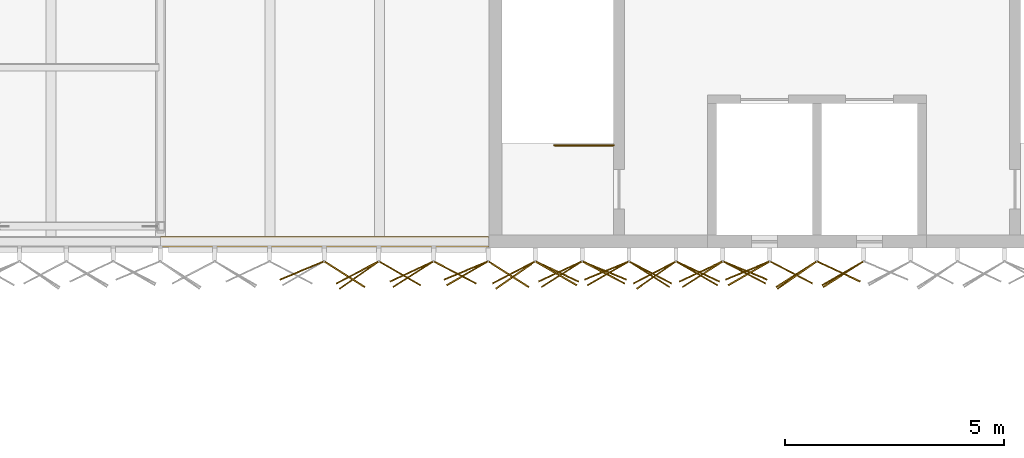
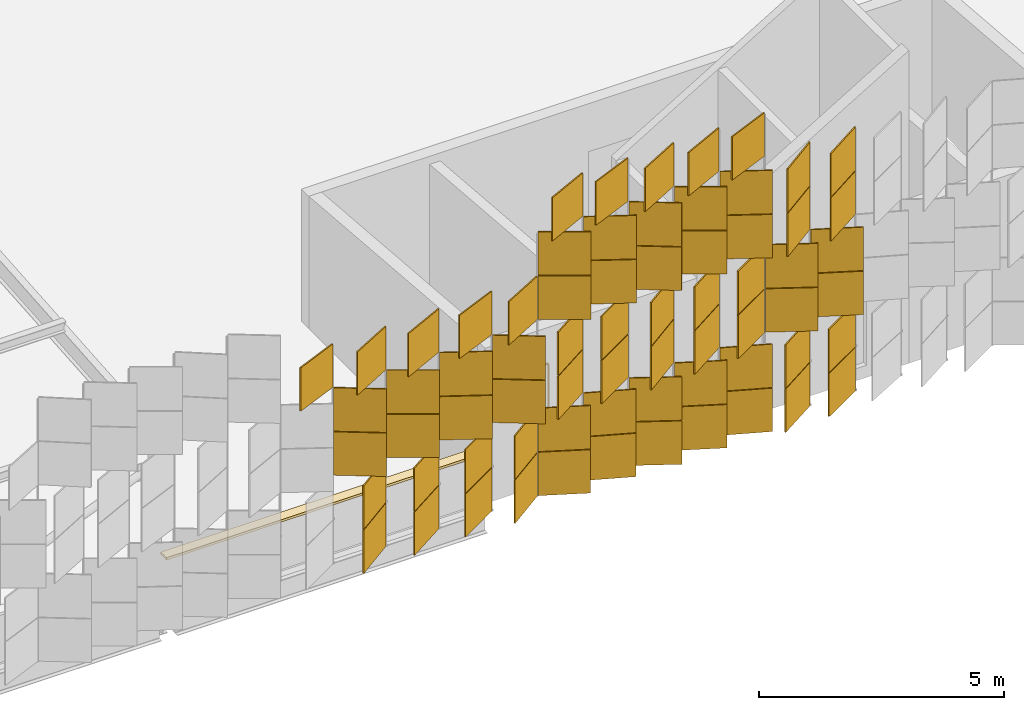
# One storey, part 464 of 483: 69 coverings, 1 railing.
"""IFC4 building model written with IfcOpenShell, lengths in metres."""

from ifc_helpers import new_model, si_unit, direction, frame, origin, origin_2d, place, context, subcontext, project, spatial, polyline, rectangle, circle, outline, extrude, material, layer, layer_set, type_object, element, save


model = new_model("IFC4")

# Units and contexts
model_context = context("Model", 3, precision=1e-05, world=origin(), true_north=direction((0.0, 1.0)))
body_context = subcontext(model_context, "Body", "Model", "MODEL_VIEW")
ifc_project = project(units=[si_unit("LENGTHUNIT", "METRE"), si_unit("AREAUNIT", "SQUARE_METRE"), si_unit("VOLUMEUNIT", "CUBIC_METRE"), si_unit("PLANEANGLEUNIT", "RADIAN"), si_unit("MASSUNIT", "GRAM", prefix="KILO")], contexts=[model_context])

# Site, building, storey
site_placement = place(None, origin())
site = spatial("IfcSite", under=ifc_project, at=site_placement, CompositionType="ELEMENT")
building_placement = place(site_placement, origin())
building = spatial("IfcBuilding", under=site, at=building_placement, Name="Parallax Yard Mobility Hub", CompositionType="ELEMENT")
storey_placement = place(building_placement, frame((0.0, 0.0, 13.199951171875)))
storey = spatial("IfcBuildingStorey", under=building, at=storey_placement, Name="L04", CompositionType="ELEMENT", Elevation=13.199951171875)

# Coverings
ifc_material_1 = material(Name="Concrete fc' 35 MPa", Category="concrete")
ifc_layer_1 = layer(ifc_material_1, 0.06005859375)
ifc_layer_set_1 = layer_set([ifc_layer_1], Name="Parapet coping, Concrete fc' 35 MPa precast, 240")
covering_type_1 = type_object("IfcCoveringType", Name="Parapet coping, Concrete fc' 35 MPa precast, 240", PredefinedType="USERDEFINED", material=ifc_layer_set_1)
covering_placement = place(storey_placement, frame((0.0, 0.0, 1.199951171875)))
element("IfcCovering", 1, at=covering_placement, inside=storey, type_object=covering_type_1, Name="Parapet coping run 1 part 6", ObjectType="COPING", PredefinedType="USERDEFINED", context=body_context, shape_type="SweptSolid", body=[
    extrude(outline(polyline([(120.0, 112.76611328125), (120.0, 112.52587890625), (127.4951171875, 112.52587890625), (127.4951171875, 112.76611328125), (120.0, 112.76611328125)])), origin(), (0.0, 0.0, 1.0), 0.06005859375),
])
ifc_material_2 = material(Name="Aluminium panel, silver anodised", Category="aluminium")
ifc_layer_2 = layer(ifc_material_2, 0.030029296875)
ifc_layer_set_2 = layer_set([ifc_layer_2], Name="Skin panel 22.5 degree turn, silver anodised")
covering_type_2 = type_object("IfcCoveringType", Name="Skin panel 22.5 degree turn, silver anodised", PredefinedType="CLADDING", material=ifc_layer_set_2)
for number, where, z_axis, x_axis, name in (
    (2, (123.22509765625, 111.987060546875, 4.419921875), (0.0, 0.0, 1.0), (-0.923879532511, -0.382683432365, 0.0), "Skin panel 22.5 bay 12.3 row 5 level L04"),
    (3, (126.972900390625, 111.987060546875, 4.419921875), (0.0, 0.0, 1.0), (-0.923879532511, -0.382683432365, 0.0), "Skin panel 22.5 bay 12.6 row 5 level L04"),
    (4, (130.1455078125, 111.987060546875, 0.02001953125), (0.0, 0.0, 1.0), (0.923879532511, -0.382683432365, 0.0), "Skin panel 22.5 bay 13.3 row 1 level L04"),
    (5, (130.1455078125, 111.987060546875, 1.1201171875), (0.0, 0.0, 1.0), (0.923879532511, -0.382683432365, 0.0), "Skin panel 22.5 bay 13.3 row 2 level L04"),
    (6, (130.189697265625, 111.987060546875, 6.6201171875), (0.0, 0.0, 1.0), (-0.923879532511, -0.382683432365, 0.0), "Skin panel 22.5 bay 13.3 row 7 level L04"),
    (7, (133.362060546875, 111.987060546875, 0.02001953125), (0.0, 0.0, 1.0), (0.923879532511, -0.382683432365, 0.0), "Skin panel 22.5 bay 13.6 row 1 level L04"),
    (8, (133.362060546875, 111.987060546875, 1.1201171875), (0.0, 0.0, 1.0), (0.923879532511, -0.382683432365, 0.0), "Skin panel 22.5 bay 13.6 row 2 level L04"),
    (9, (133.40625, 111.987060546875, 6.6201171875), (0.0, 0.0, 1.0), (-0.923879532511, -0.382683432365, 0.0), "Skin panel 22.5 bay 13.6 row 7 level L04"),
):
    element("IfcCovering", number, at=place(storey_placement, frame(where, z_axis=z_axis, x_axis=x_axis)), inside=storey, type_object=covering_type_2, Name=name, ObjectType="SCREEN", PredefinedType="CLADDING", context=body_context, shape_type="SweptSolid", body=[
        extrude(rectangle(XDim=1.080078125, YDim=0.030029296875, at=origin_2d()), origin(), (0.0, 0.0, 1.0), 1.080078125),
    ])
ifc_layer_3 = layer(ifc_material_2, 0.030029296875)
ifc_layer_set_3 = layer_set([ifc_layer_3], Name="Skin panel 25 degree turn, silver anodised")
covering_type_3 = type_object("IfcCoveringType", Name="Skin panel 25 degree turn, silver anodised", PredefinedType="CLADDING", material=ifc_layer_set_3)
for number, where, z_axis, x_axis, name in (
    (10, (125.7333984375, 111.96484375, 4.419921875), (0.0, 0.0, 1.0), (-0.906307787037, -0.422618261741, 0.0), "Skin panel 25 bay 12.5 row 5 level L04"),
    (11, (129.0634765625, 111.96484375, 0.02001953125), (0.0, 0.0, 1.0), (0.906307787037, -0.422618261741, 0.0), "Skin panel 25 bay 13.2 row 1 level L04"),
    (12, (129.0634765625, 111.96484375, 1.1201171875), (0.0, 0.0, 1.0), (0.906307787037, -0.422618261741, 0.0), "Skin panel 25 bay 13.2 row 2 level L04"),
    (13, (129.127197265625, 111.96484375, 6.6201171875), (0.0, 0.0, 1.0), (-0.906307787037, -0.422618261741, 0.0), "Skin panel 25 bay 13.2 row 7 level L04"),
    (14, (132.280029296875, 111.96484375, 0.02001953125), (0.0, 0.0, 1.0), (0.906307787037, -0.422618261741, 0.0), "Skin panel 25 bay 13.5 row 1 level L04"),
    (15, (132.280029296875, 111.96484375, 1.1201171875), (0.0, 0.0, 1.0), (0.906307787037, -0.422618261741, 0.0), "Skin panel 25 bay 13.5 row 2 level L04"),
    (16, (132.34375, 111.96484375, 6.6201171875), (0.0, 0.0, 1.0), (-0.906307787037, -0.422618261741, 0.0), "Skin panel 25 bay 13.5 row 7 level L04"),
    (17, (135.49658203125, 111.96484375, 2.219970703125), (0.0, 0.0, 1.0), (0.906307787037, -0.422618261741, 0.0), "Skin panel 25 bay 13.8 row 3 level L04"),
    (18, (135.49658203125, 111.96484375, 3.320068359375), (0.0, 0.0, 1.0), (0.906307787037, -0.422618261741, 0.0), "Skin panel 25 bay 13.8 row 4 level L04"),
):
    element("IfcCovering", number, at=place(storey_placement, frame(where, z_axis=z_axis, x_axis=x_axis)), inside=storey, type_object=covering_type_3, Name=name, ObjectType="SCREEN", PredefinedType="CLADDING", context=body_context, shape_type="SweptSolid", body=[
        extrude(rectangle(XDim=1.080078125, YDim=0.030029296875, at=origin_2d()), origin(), (0.0, 0.0, 1.0), 1.080078125),
    ])
ifc_layer_4 = layer(ifc_material_2, 0.030029296875)
ifc_layer_set_4 = layer_set([ifc_layer_4], Name="Skin panel 27.5 degree turn, silver anodised")
covering_type_4 = type_object("IfcCoveringType", Name="Skin panel 27.5 degree turn, silver anodised", PredefinedType="CLADDING", material=ifc_layer_set_4)
for number, where, z_axis, x_axis, name in (
    (19, (124.4951171875, 111.943115234375, 4.419921875), (0.0, 0.0, 1.0), (-0.887010833178, -0.461748613235, 0.0), "Skin panel 27.5 bay 12.4 row 5 level L04"),
    (20, (126.731201171875, 111.943115234375, 2.219970703125), (0.0, 0.0, 1.0), (0.887010833178, -0.461748613235, 0.0), "Skin panel 27.5 bay 12.6 row 3 level L04"),
    (21, (126.731201171875, 111.943115234375, 3.320068359375), (0.0, 0.0, 1.0), (0.887010833178, -0.461748613235, 0.0), "Skin panel 27.5 bay 12.6 row 4 level L04"),
    (22, (128.065673828125, 111.943115234375, 4.419921875), (0.0, 0.0, 1.0), (-0.887010833178, -0.461748613235, 0.0), "Skin panel 27.5 bay 13.1 row 5 level L04"),
    (23, (130.125, 111.943115234375, 4.419921875), (0.0, 0.0, 1.0), (0.887010833178, -0.461748613235, 0.0), "Skin panel 27.5 bay 13.3 row 5 level L04"),
    (24, (130.125, 111.943115234375, 5.52001953125), (0.0, 0.0, 1.0), (0.887010833178, -0.461748613235, 0.0), "Skin panel 27.5 bay 13.3 row 6 level L04"),
    (25, (131.197021484375, 111.943115234375, 0.02001953125), (0.0, 0.0, 1.0), (0.887010833178, -0.461748613235, 0.0), "Skin panel 27.5 bay 13.4 row 1 level L04"),
    (26, (131.197021484375, 111.943115234375, 1.1201171875), (0.0, 0.0, 1.0), (0.887010833178, -0.461748613235, 0.0), "Skin panel 27.5 bay 13.4 row 2 level L04"),
    (27, (131.282470703125, 111.943115234375, 6.6201171875), (0.0, 0.0, 1.0), (-0.887010833178, -0.461748613235, 0.0), "Skin panel 27.5 bay 13.4 row 7 level L04"),
    (28, (133.341552734375, 111.943115234375, 4.419921875), (0.0, 0.0, 1.0), (0.887010833178, -0.461748613235, 0.0), "Skin panel 27.5 bay 13.6 row 5 level L04"),
    (29, (133.341552734375, 111.943115234375, 5.52001953125), (0.0, 0.0, 1.0), (0.887010833178, -0.461748613235, 0.0), "Skin panel 27.5 bay 13.6 row 6 level L04"),
    (30, (134.413818359375, 111.943115234375, 2.219970703125), (0.0, 0.0, 1.0), (0.887010833178, -0.461748613235, 0.0), "Skin panel 27.5 bay 13.7 row 3 level L04"),
    (31, (134.413818359375, 111.943115234375, 3.320068359375), (0.0, 0.0, 1.0), (0.887010833178, -0.461748613235, 0.0), "Skin panel 27.5 bay 13.7 row 4 level L04"),
):
    element("IfcCovering", number, at=place(storey_placement, frame(where, z_axis=z_axis, x_axis=x_axis)), inside=storey, type_object=covering_type_4, Name=name, ObjectType="SCREEN", PredefinedType="CLADDING", context=body_context, shape_type="SweptSolid", body=[
        extrude(rectangle(XDim=1.080078125, YDim=0.030029296875, at=origin_2d()), origin(), (0.0, 0.0, 1.0), 1.080078125),
    ])
ifc_layer_5 = layer(ifc_material_2, 0.030029296875)
ifc_layer_set_5 = layer_set([ifc_layer_5], Name="Skin panel 30 degree turn, silver anodised")
covering_type_5 = type_object("IfcCoveringType", Name="Skin panel 30 degree turn, silver anodised", PredefinedType="CLADDING", material=ifc_layer_set_5)
for number, where, z_axis, x_axis, name in (
    (32, (125.47021484375, 111.921875, 2.219970703125), (0.0, 0.0, 1.0), (0.866025403784, -0.5, 0.0), "Skin panel 30 bay 12.5 row 3 level L04"),
    (33, (125.47021484375, 111.921875, 3.320068359375), (0.0, 0.0, 1.0), (0.866025403784, -0.5, 0.0), "Skin panel 30 bay 12.5 row 4 level L04"),
    (34, (127.005126953125, 111.921875, 0.02001953125), (0.0, 0.0, 1.0), (-0.866025403784, -0.5, 0.0), "Skin panel 30 bay 12.6 row 1 level L04"),
    (35, (127.005126953125, 111.921875, 1.1201171875), (0.0, 0.0, 1.0), (-0.866025403784, -0.5, 0.0), "Skin panel 30 bay 12.6 row 2 level L04"),
    (36, (129.041015625, 111.921875, 4.419921875), (0.0, 0.0, 1.0), (0.866025403784, -0.5, 0.0), "Skin panel 30 bay 13.2 row 5 level L04"),
    (37, (129.041015625, 111.921875, 5.52001953125), (0.0, 0.0, 1.0), (0.866025403784, -0.5, 0.0), "Skin panel 30 bay 13.2 row 6 level L04"),
    (38, (130.2216796875, 111.921875, 2.219970703125), (0.0, 0.0, 1.0), (-0.866025403784, -0.5, 0.0), "Skin panel 30 bay 13.3 row 3 level L04"),
    (39, (130.2216796875, 111.921875, 3.320068359375), (0.0, 0.0, 1.0), (-0.866025403784, -0.5, 0.0), "Skin panel 30 bay 13.3 row 4 level L04"),
    (40, (132.2578125, 111.921875, 4.419921875), (0.0, 0.0, 1.0), (0.866025403784, -0.5, 0.0), "Skin panel 30 bay 13.5 row 5 level L04"),
    (41, (132.2578125, 111.921875, 5.52001953125), (0.0, 0.0, 1.0), (0.866025403784, -0.5, 0.0), "Skin panel 30 bay 13.5 row 6 level L04"),
    (42, (133.4384765625, 111.921875, 2.219970703125), (0.0, 0.0, 1.0), (-0.866025403784, -0.5, 0.0), "Skin panel 30 bay 13.6 row 3 level L04"),
    (43, (133.4384765625, 111.921875, 3.320068359375), (0.0, 0.0, 1.0), (-0.866025403784, -0.5, 0.0), "Skin panel 30 bay 13.6 row 4 level L04"),
    (44, (135.5830078125, 111.921875, 0.02001953125), (0.0, 0.0, 1.0), (-0.866025403784, -0.5, 0.0), "Skin panel 30 bay 13.8 row 1 level L04"),
    (45, (135.5830078125, 111.921875, 1.1201171875), (0.0, 0.0, 1.0), (-0.866025403784, -0.5, 0.0), "Skin panel 30 bay 13.8 row 2 level L04"),
):
    element("IfcCovering", number, at=place(storey_placement, frame(where, z_axis=z_axis, x_axis=x_axis)), inside=storey, type_object=covering_type_5, Name=name, ObjectType="SCREEN", PredefinedType="CLADDING", context=body_context, shape_type="SweptSolid", body=[
        extrude(rectangle(XDim=1.080078125, YDim=0.030029296875, at=origin_2d()), origin(), (0.0, 0.0, 1.0), 1.080078125),
    ])
ifc_layer_6 = layer(ifc_material_2, 0.030029296875)
ifc_layer_set_6 = layer_set([ifc_layer_6], Name="Skin panel 32.5 degree turn, silver anodised")
covering_type_6 = type_object("IfcCoveringType", Name="Skin panel 32.5 degree turn, silver anodised", PredefinedType="CLADDING", material=ifc_layer_set_6)
for number, where, z_axis, x_axis, name in (
    (46, (124.20849609375, 111.901123046875, 2.219970703125), (0.0, 0.0, 1.0), (0.843391445813, -0.537299608347, 0.0), "Skin panel 32.5 bay 12.4 row 3 level L04"),
    (47, (124.20849609375, 111.901123046875, 3.320068359375), (0.0, 0.0, 1.0), (0.843391445813, -0.537299608347, 0.0), "Skin panel 32.5 bay 12.4 row 4 level L04"),
    (48, (125.7685546875, 111.901123046875, 0.02001953125), (0.0, 0.0, 1.0), (-0.843391445813, -0.537299608347, 0.0), "Skin panel 32.5 bay 12.5 row 1 level L04"),
    (49, (125.7685546875, 111.901123046875, 1.1201171875), (0.0, 0.0, 1.0), (-0.843391445813, -0.537299608347, 0.0), "Skin panel 32.5 bay 12.5 row 2 level L04"),
    (50, (127.956298828125, 111.901123046875, 2.219970703125), (0.0, 0.0, 1.0), (0.843391445813, -0.537299608347, 0.0), "Skin panel 32.5 bay 13.1 row 3 level L04"),
    (51, (127.956298828125, 111.901123046875, 3.320068359375), (0.0, 0.0, 1.0), (0.843391445813, -0.537299608347, 0.0), "Skin panel 32.5 bay 13.1 row 4 level L04"),
    (52, (129.162109375, 111.901123046875, 2.219970703125), (0.0, 0.0, 1.0), (-0.843391445813, -0.537299608347, 0.0), "Skin panel 32.5 bay 13.2 row 3 level L04"),
    (53, (129.162109375, 111.901123046875, 3.320068359375), (0.0, 0.0, 1.0), (-0.843391445813, -0.537299608347, 0.0), "Skin panel 32.5 bay 13.2 row 4 level L04"),
    (54, (131.1728515625, 111.901123046875, 4.419921875), (0.0, 0.0, 1.0), (0.843391445813, -0.537299608347, 0.0), "Skin panel 32.5 bay 13.4 row 5 level L04"),
    (55, (131.1728515625, 111.901123046875, 5.52001953125), (0.0, 0.0, 1.0), (0.843391445813, -0.537299608347, 0.0), "Skin panel 32.5 bay 13.4 row 6 level L04"),
    (56, (132.37890625, 111.901123046875, 2.219970703125), (0.0, 0.0, 1.0), (-0.843391445813, -0.537299608347, 0.0), "Skin panel 32.5 bay 13.5 row 3 level L04"),
    (57, (132.37890625, 111.901123046875, 3.320068359375), (0.0, 0.0, 1.0), (-0.843391445813, -0.537299608347, 0.0), "Skin panel 32.5 bay 13.5 row 4 level L04"),
    (58, (134.523193359375, 111.901123046875, 0.02001953125), (0.0, 0.0, 1.0), (-0.843391445813, -0.537299608347, 0.0), "Skin panel 32.5 bay 13.7 row 1 level L04"),
    (59, (134.523193359375, 111.901123046875, 1.1201171875), (0.0, 0.0, 1.0), (-0.843391445813, -0.537299608347, 0.0), "Skin panel 32.5 bay 13.7 row 2 level L04"),
    (60, (135.595458984375, 111.901123046875, 4.419921875), (0.0, 0.0, 1.0), (-0.843391445813, -0.537299608347, 0.0), "Skin panel 32.5 bay 13.8 row 5 level L04"),
    (61, (135.595458984375, 111.901123046875, 5.52001953125), (0.0, 0.0, 1.0), (-0.843391445813, -0.537299608347, 0.0), "Skin panel 32.5 bay 13.8 row 6 level L04"),
):
    element("IfcCovering", number, at=place(storey_placement, frame(where, z_axis=z_axis, x_axis=x_axis)), inside=storey, type_object=covering_type_6, Name=name, ObjectType="SCREEN", PredefinedType="CLADDING", context=body_context, shape_type="SweptSolid", body=[
        extrude(rectangle(XDim=1.080078125, YDim=0.030029296875, at=origin_2d()), origin(), (0.0, 0.0, 1.0), 1.080078125),
    ])
ifc_layer_7 = layer(ifc_material_2, 0.030029296875)
ifc_layer_set_7 = layer_set([ifc_layer_7], Name="Skin panel 35 degree turn, silver anodised")
covering_type_7 = type_object("IfcCoveringType", Name="Skin panel 35 degree turn, silver anodised", PredefinedType="CLADDING", material=ifc_layer_set_7)
for number, where, z_axis, x_axis, name in (
    (62, (124.53271484375, 111.880859375, 0.02001953125), (0.0, 0.0, 1.0), (-0.819152044289, -0.573576436351, 0.0), "Skin panel 35 bay 12.4 row 1 level L04"),
    (63, (124.53271484375, 111.880859375, 1.1201171875), (0.0, 0.0, 1.0), (-0.819152044289, -0.573576436351, 0.0), "Skin panel 35 bay 12.4 row 2 level L04"),
    (64, (128.103515625, 111.880859375, 0.02001953125), (0.0, 0.0, 1.0), (-0.819152044289, -0.573576436351, 0.0), "Skin panel 35 bay 13.1 row 1 level L04"),
    (65, (128.103515625, 111.880859375, 1.1201171875), (0.0, 0.0, 1.0), (-0.819152044289, -0.573576436351, 0.0), "Skin panel 35 bay 13.1 row 2 level L04"),
    (66, (131.320068359375, 111.880859375, 2.219970703125), (0.0, 0.0, 1.0), (-0.819152044289, -0.573576436351, 0.0), "Skin panel 35 bay 13.4 row 3 level L04"),
    (67, (131.320068359375, 111.880859375, 3.320068359375), (0.0, 0.0, 1.0), (-0.819152044289, -0.573576436351, 0.0), "Skin panel 35 bay 13.4 row 4 level L04"),
    (68, (134.536865234375, 111.880859375, 4.419921875), (0.0, 0.0, 1.0), (-0.819152044289, -0.573576436351, 0.0), "Skin panel 35 bay 13.7 row 5 level L04"),
    (69, (134.536865234375, 111.880859375, 5.52001953125), (0.0, 0.0, 1.0), (-0.819152044289, -0.573576436351, 0.0), "Skin panel 35 bay 13.7 row 6 level L04"),
):
    element("IfcCovering", number, at=place(storey_placement, frame(where, z_axis=z_axis, x_axis=x_axis)), inside=storey, type_object=covering_type_7, Name=name, ObjectType="SCREEN", PredefinedType="CLADDING", context=body_context, shape_type="SweptSolid", body=[
        extrude(rectangle(XDim=1.080078125, YDim=0.030029296875, at=origin_2d()), origin(), (0.0, 0.0, 1.0), 1.080078125),
    ])

# Railing
ifc_material_3 = material(Name="Steel ASTM A36", Category="steel")
railing_type = type_object("IfcRailingType", Name="Stair guard 1100", PredefinedType="GUARDRAIL", material=ifc_material_3)
railing_placement = place(storey_placement, frame((130.35009765625, 114.85009765625, 0.0)))
element("IfcRailing", 70, at=railing_placement, inside=storey, type_object=railing_type, Name="L04 ST6 top well guard 1", PredefinedType="GUARDRAIL", context=body_context, shape_type="SweptSolid", body=[
    extrude(circle(Radius=0.02392578125, at=origin_2d()), frame((0.0, 0.0, 1.076171875), z_axis=(-1.0, 0.0, 0.0), x_axis=(0.0, -1.0, 0.0)), (0.0, 0.0, 1.0), 1.35009765625),
    extrude(circle(Radius=0.02099609375, at=origin_2d()), origin(), (0.0, 0.0, 1.0), 1.052001953125),
    extrude(circle(Radius=0.02099609375, at=origin_2d()), frame((-0.675048828125, 0.0, 0.0)), (0.0, 0.0, 1.0), 1.052001953125),
    extrude(circle(Radius=0.02099609375, at=origin_2d()), frame((-1.35009765625, 0.0, 0.0)), (0.0, 0.0, 1.0), 1.052001953125),
])

save(model, "model.ifc")
